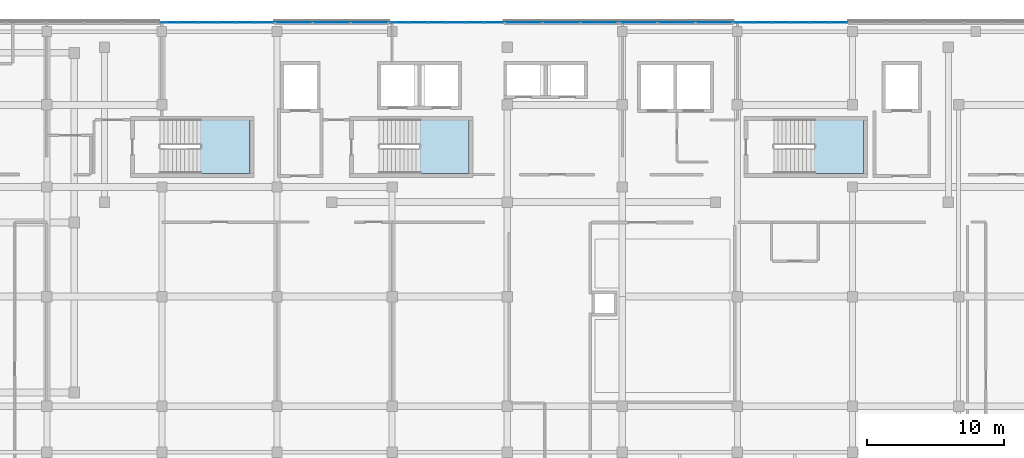
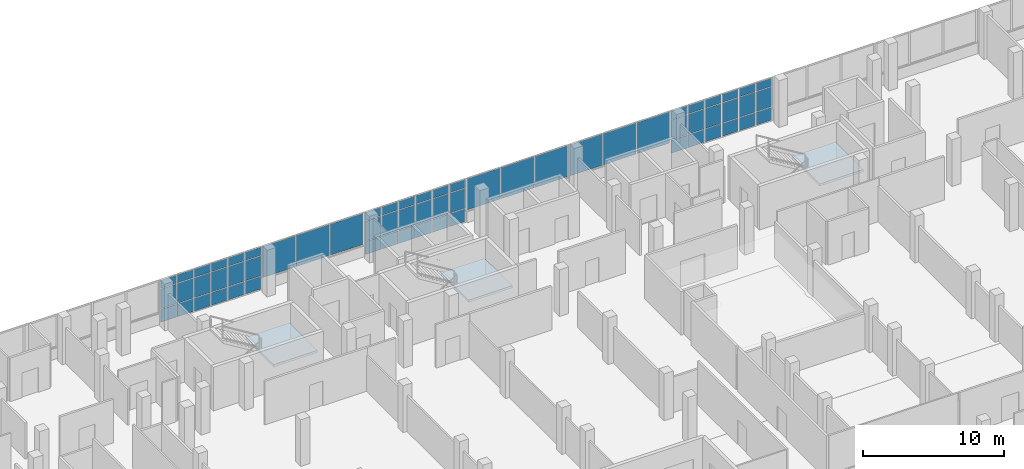
# One storey, part 79 of 101: 63 plates, 3 slabs, 9 elements without a shape of their own.
"""IFC4 building model written with IfcOpenShell, lengths in metres."""

import ifcopenshell
import ifcopenshell.guid

model = None  # the IFC model being written
_history = None  # IfcOwnerHistory: only IFC2X3 demands one
_inside = {}  # id of a spatial element -> (the spatial element, [elements in it])
_under = {}  # id of a project, library or spatial element -> (it, [spatial elements below it])
_declared = {}  # id of a project -> (the project, [libraries it declares])
_typed = {}  # id of a type object -> (the type object, [elements of that type])
_made_of = {}  # id of a material, layer set ... -> (it, [elements and type objects made of it])


def new_model(schema):
    """Start an empty IFC model of exactly this schema.

    Asked for "IFC4X3", IfcOpenShell would pick the latest addendum, in which some entities
    have other attributes; the version numbers below select the first issue.
    IFC2X3 requires an IfcOwnerHistory on every rooted entity: one is made here for all.
    """
    global model, _history
    if schema == "IFC4X3":
        model = ifcopenshell.file(schema_version=(4, 3, 0, 0))
    else:
        model = ifcopenshell.file(schema=schema)
    _inside.clear()
    _under.clear()
    _declared.clear()
    _typed.clear()
    _made_of.clear()
    _history = None
    if model.schema == "IFC2X3":
        org = make("IfcOrganization", Name="unknown")
        user = make(
            "IfcPersonAndOrganization",
            ThePerson=make("IfcPerson", FamilyName="unknown"),
            TheOrganization=org,
        )
        app = make(
            "IfcApplication",
            ApplicationDeveloper=org,
            Version="unknown",
            ApplicationFullName="unknown",
            ApplicationIdentifier="unknown",
        )
        _history = make(
            "IfcOwnerHistory",
            OwningUser=user,
            OwningApplication=app,
            ChangeAction="ADDED",
            CreationDate=0,
        )
    return model


def make(cls, **values):
    """One entity of the class cls with the attributes given. An attribute that is None is left unset."""
    return model.create_entity(
        cls, **{name: value for name, value in values.items() if value is not None}
    )


def rooted(cls, **values):
    """An entity with a GlobalId (a new one), such as an element, a storey or a relation."""
    return make(cls, GlobalId=ifcopenshell.guid.new(), OwnerHistory=_history, **values)


def si_unit(unit_type, name, prefix=None):
    """IfcSIUnit, for example si_unit("LENGTHUNIT", "METRE", prefix="MILLI")."""
    return make("IfcSIUnit", UnitType=unit_type, Prefix=prefix, Name=name)


def assignment(units):
    """IfcUnitAssignment: the units of a project."""
    return None if units is None else make("IfcUnitAssignment", Units=units)


def point(xyz):
    """IfcCartesianPoint."""
    return None if xyz is None else make("IfcCartesianPoint", Coordinates=xyz)


def direction(xyz):
    """IfcDirection."""
    return None if xyz is None else make("IfcDirection", DirectionRatios=xyz)


def frame(location, z_axis=None, x_axis=None):
    """IfcAxis2Placement3D, a coordinate frame: its origin and axes. An axis left out is left unset."""
    return make(
        "IfcAxis2Placement3D",
        Location=point(location),
        Axis=direction(z_axis),
        RefDirection=direction(x_axis),
    )


def frame_2d(location, x_axis=None):
    """IfcAxis2Placement2D, a coordinate frame in the plane: its origin and x axis."""
    return make(
        "IfcAxis2Placement2D", Location=point(location), RefDirection=direction(x_axis)
    )


def origin():
    """The frame at (0, 0, 0) with its axes left unset."""
    return frame((0.0, 0.0, 0.0))


def origin_2d():
    """The frame at (0, 0) in the plane with its x axis left unset."""
    return frame_2d((0.0, 0.0))


def place(relative_to, where):
    """IfcLocalPlacement: puts the frame where relative to a parent placement (None: the world)."""
    return make(
        "IfcLocalPlacement", PlacementRelTo=relative_to, RelativePlacement=where
    )


def context(
    kind, dimensions, precision=None, world=None, true_north=None, identifier=None
):
    """IfcGeometricRepresentationContext, for example the 3D "Model" context."""
    return make(
        "IfcGeometricRepresentationContext",
        ContextIdentifier=identifier,
        ContextType=kind,
        CoordinateSpaceDimension=dimensions,
        Precision=precision,
        WorldCoordinateSystem=world,
        TrueNorth=true_north,
    )


def subcontext(parent, identifier, kind, view, scale=None):
    """IfcGeometricRepresentationSubContext, for example "Body" below "Model"."""
    return make(
        "IfcGeometricRepresentationSubContext",
        ContextIdentifier=identifier,
        ContextType=kind,
        ParentContext=parent,
        TargetScale=scale,
        TargetView=view,
    )


def project(units=None, contexts=None):
    """IfcProject with its units and contexts."""
    return rooted(
        "IfcProject",
        Name="project",
        RepresentationContexts=contexts,
        UnitsInContext=assignment(units),
    )


def spatial(cls, under=None, at=None, **own):
    """A site, building, storey or space (cls), placed at a placement, below another one or the project."""
    s = rooted(cls, ObjectPlacement=at, **own)
    if under is not None:
        _under.setdefault(under.id(), (under, []))[1].append(s)
    return s


def polyline(points):
    """IfcPolyline through the points."""
    return make("IfcPolyline", Points=[point(p) for p in points])


def profile(cls, at=None, kind="AREA", **sizes):
    """A parametric profile (cls). Its sizes go by their IFC names, for example OverallWidth=200.0."""
    return make(cls, ProfileType=kind, Position=at, **sizes)


def rectangle(**sizes):
    """IfcRectangleProfileDef."""
    return profile("IfcRectangleProfileDef", **sizes)


def outline(outer, holes=None, kind="AREA"):
    """IfcArbitraryClosedProfileDef: a profile drawn as a closed curve; with holes, ...WithVoids."""
    if holes is None:
        return make("IfcArbitraryClosedProfileDef", ProfileType=kind, OuterCurve=outer)
    return make(
        "IfcArbitraryProfileDefWithVoids",
        ProfileType=kind,
        OuterCurve=outer,
        InnerCurves=holes,
    )


def extrude(swept, where, along, depth):
    """IfcExtrudedAreaSolid: the profile swept, set in the frame where, extruded along a direction by depth."""
    return make(
        "IfcExtrudedAreaSolid",
        SweptArea=swept,
        Position=where,
        ExtrudedDirection=direction(along),
        Depth=depth,
    )


def shape(context_of_items, identifier, shape_type, items):
    """IfcShapeRepresentation: the items that make up one representation, for example the "Body"."""
    return make(
        "IfcShapeRepresentation",
        ContextOfItems=context_of_items,
        RepresentationIdentifier=identifier,
        RepresentationType=shape_type,
        Items=items,
    )


def material(Name=None, Category=None):
    """IfcMaterial."""
    return make("IfcMaterial", Name=Name, Category=Category)


def layer(
    of_material, thickness, ventilated=None, Name=None, Category=None, Priority=None
):
    """IfcMaterialLayer: one layer of a wall or slab, of a material (None: an air gap)."""
    return make(
        "IfcMaterialLayer",
        Material=of_material,
        LayerThickness=thickness,
        IsVentilated=ventilated,
        Name=Name,
        Category=Category,
        Priority=Priority,
    )


def layer_set(layers, Name=None):
    """IfcMaterialLayerSet."""
    return make("IfcMaterialLayerSet", MaterialLayers=layers, LayerSetName=Name)


def made_of(thing, what):
    """Note that an element or type object is made of a material, layer set ...; save() writes the relation."""
    if what is not None:
        _made_of.setdefault(what.id(), (what, []))[1].append(thing)
    return thing


def type_object(cls, material=None, **own):
    """A type object (cls), such as IfcWallType, which elements share."""
    return made_of(rooted(cls, **own), material)


def element(
    cls,
    number,
    at=None,
    inside=None,
    cuts=None,
    type_object=None,
    material=None,
    context=None,
    identifier="Body",
    shape_type=None,
    held_by="IfcProductDefinitionShape",
    body=None,
    shapes=None,
    **own,
):
    """One element of the class cls, such as IfcWall. Its Tag is "e" and its number.

    at: its placement. inside: the storey or other place that contains it. cuts: it is an
    opening in that element (IfcRelVoidsElement). A single representation is given by context,
    identifier, shape_type and body (its items); several are given by shapes. held_by: the class
    of the entity that holds the representations. save() writes the other relations.
    """
    e = rooted(cls, Tag="e%d" % number, ObjectPlacement=at, **own)
    if body is not None:
        shapes = [shape(context, identifier, shape_type, body)]
    if shapes is not None:
        e.Representation = make(held_by, Representations=shapes)
    if inside is not None:
        _inside.setdefault(inside.id(), (inside, []))[1].append(e)
    if cuts is not None:
        rooted(
            "IfcRelVoidsElement", RelatingBuildingElement=cuts, RelatedOpeningElement=e
        )
    if type_object is not None:
        _typed.setdefault(type_object.id(), (type_object, []))[1].append(e)
    return made_of(e, material)


def aggregate(whole, parts):
    """IfcRelAggregates: a whole, such as a stair, and the parts it consists of."""
    return rooted("IfcRelAggregates", RelatingObject=whole, RelatedObjects=parts)


def save(model, path):
    """Write the relations noted so far, then the file.

    IfcRelAggregates (storeys below a building ...), IfcRelContainedInSpatialStructure (elements
    in a storey), IfcRelDefinesByType, IfcRelAssociatesMaterial and IfcRelDeclares: one each for
    every whole, place, type object, material and project.
    """
    for whole, parts in _under.values():
        aggregate(whole, parts)
    for where, things in _inside.values():
        rooted(
            "IfcRelContainedInSpatialStructure",
            RelatedElements=things,
            RelatingStructure=where,
        )
    for kind, things in _typed.values():
        rooted("IfcRelDefinesByType", RelatedObjects=things, RelatingType=kind)
    for what, things in _made_of.values():
        rooted("IfcRelAssociatesMaterial", RelatedObjects=things, RelatingMaterial=what)
    for by, libraries in _declared.values():
        rooted("IfcRelDeclares", RelatingContext=by, RelatedDefinitions=libraries)
    model.write(path)


model = new_model("IFC4")

# Units and contexts
model_context = context("Model", 3, precision=1e-05, world=origin(), true_north=direction((0.0, 1.0)))
body_context = subcontext(model_context, "Body", "Model", "MODEL_VIEW")
ifc_project = project(units=[si_unit("LENGTHUNIT", "METRE"), si_unit("AREAUNIT", "SQUARE_METRE"), si_unit("VOLUMEUNIT", "CUBIC_METRE"), si_unit("PLANEANGLEUNIT", "RADIAN"), si_unit("MASSUNIT", "GRAM", prefix="KILO")], contexts=[model_context])

# Site, building, storey
site_placement = place(None, origin())
site = spatial("IfcSite", under=ifc_project, at=site_placement, CompositionType="ELEMENT")
building_placement = place(site_placement, origin())
building = spatial("IfcBuilding", under=site, at=building_placement, Name="Selatvlak General Hospital", CompositionType="ELEMENT")
storey_placement = place(building_placement, frame((0.0, 0.0, 19.199951171875)))
storey = spatial("IfcBuildingStorey", under=building, at=storey_placement, Name="L04", CompositionType="ELEMENT", Elevation=19.199951171875)

# Curtain wall, plates
ifc_material_1 = material(Name="Solar-control Low-E double glazing", Category="glass")
curtain_wall_type_1 = type_object("IfcCurtainWallType", Name="CW-CW-04", PredefinedType="USERDEFINED", material=ifc_material_1)
curtain_wall_1_placement = place(storey_placement, origin())
curtain_wall_1 = element("IfcCurtainWall", 1, at=curtain_wall_1_placement, inside=storey, type_object=curtain_wall_type_1, Name="Glazed facade curtain wall CW-L04-0489", ObjectType="STICK GLAZING WALL", PredefinedType="USERDEFINED")
ifc_layer_1 = layer(ifc_material_1, 0.028076171875, Name="Solar-control Low-E double glazing", Category="glass")
ifc_layer_set_1 = layer_set([ifc_layer_1], Name="Solar-control Low-E double glazing")
plate_type = type_object("IfcPlateType", Name="CWP-01", PredefinedType="CURTAIN_PANEL", material=ifc_layer_set_1)
plate_1_placement = place(storey_placement, frame((90.547119140625, 119.9990234375, 0.06494140625), z_axis=(0.0, 0.0, 1.0), x_axis=(1.0, 0.0, 0.0)))
plate_1 = element("IfcPlate", 2, at=plate_1_placement, type_object=plate_type, Name="CW-04 panel 1.1", PredefinedType="CURTAIN_PANEL", context=body_context, shape_type="SweptSolid", body=[
    extrude(rectangle(XDim=1.294189453125, YDim=0.028076171875, at=origin_2d()), origin(), (0.0, 0.0, 1.0), 1.1025390625),
])
plate_2_placement = place(storey_placement, frame((90.547119140625, 119.9990234375, 1.232421875), z_axis=(0.0, 0.0, 1.0), x_axis=(1.0, 0.0, 0.0)))
plate_2 = element("IfcPlate", 3, at=plate_2_placement, type_object=plate_type, Name="CW-04 panel 1.2", PredefinedType="CURTAIN_PANEL", context=body_context, shape_type="SweptSolid", body=[
    extrude(rectangle(XDim=1.294189453125, YDim=0.028076171875, at=origin_2d()), origin(), (0.0, 0.0, 1.0), 1.705078125),
])
plate_3_placement = place(storey_placement, frame((90.547119140625, 119.9990234375, 3.00244140625), z_axis=(0.0, 0.0, 1.0), x_axis=(1.0, 0.0, 0.0)))
plate_3 = element("IfcPlate", 4, at=plate_3_placement, type_object=plate_type, Name="CW-04 panel 1.3", PredefinedType="CURTAIN_PANEL", context=body_context, shape_type="SweptSolid", body=[
    extrude(rectangle(XDim=1.294189453125, YDim=0.028076171875, at=origin_2d()), origin(), (0.0, 0.0, 1.0), 0.702392578125),
])
plate_4_placement = place(storey_placement, frame((91.922607421875, 119.9990234375, 0.06494140625), z_axis=(0.0, 0.0, 1.0), x_axis=(1.0, 0.0, 0.0)))
plate_4 = element("IfcPlate", 5, at=plate_4_placement, type_object=plate_type, Name="CW-04 panel 2.1", PredefinedType="CURTAIN_PANEL", context=body_context, shape_type="SweptSolid", body=[
    extrude(rectangle(XDim=1.32666015625, YDim=0.028076171875, at=origin_2d()), origin(), (0.0, 0.0, 1.0), 1.1025390625),
])
plate_5_placement = place(storey_placement, frame((91.922607421875, 119.9990234375, 1.232421875), z_axis=(0.0, 0.0, 1.0), x_axis=(1.0, 0.0, 0.0)))
plate_5 = element("IfcPlate", 6, at=plate_5_placement, type_object=plate_type, Name="CW-04 panel 2.2", PredefinedType="CURTAIN_PANEL", context=body_context, shape_type="SweptSolid", body=[
    extrude(rectangle(XDim=1.32666015625, YDim=0.028076171875, at=origin_2d()), origin(), (0.0, 0.0, 1.0), 1.705078125),
])
plate_6_placement = place(storey_placement, frame((91.922607421875, 119.9990234375, 3.00244140625), z_axis=(0.0, 0.0, 1.0), x_axis=(1.0, 0.0, 0.0)))
plate_6 = element("IfcPlate", 7, at=plate_6_placement, type_object=plate_type, Name="CW-04 panel 2.3", PredefinedType="CURTAIN_PANEL", context=body_context, shape_type="SweptSolid", body=[
    extrude(rectangle(XDim=1.32666015625, YDim=0.028076171875, at=origin_2d()), origin(), (0.0, 0.0, 1.0), 0.702392578125),
])
plate_7_placement = place(storey_placement, frame((93.314208984375, 119.9990234375, 0.06494140625), z_axis=(0.0, 0.0, 1.0), x_axis=(1.0, 0.0, 0.0)))
plate_7 = element("IfcPlate", 8, at=plate_7_placement, type_object=plate_type, Name="CW-04 panel 3.1", PredefinedType="CURTAIN_PANEL", context=body_context, shape_type="SweptSolid", body=[
    extrude(rectangle(XDim=1.32666015625, YDim=0.028076171875, at=origin_2d()), origin(), (0.0, 0.0, 1.0), 1.1025390625),
])
plate_8_placement = place(storey_placement, frame((93.314208984375, 119.9990234375, 1.232421875), z_axis=(0.0, 0.0, 1.0), x_axis=(1.0, 0.0, 0.0)))
plate_8 = element("IfcPlate", 9, at=plate_8_placement, type_object=plate_type, Name="CW-04 panel 3.2", PredefinedType="CURTAIN_PANEL", context=body_context, shape_type="SweptSolid", body=[
    extrude(rectangle(XDim=1.32666015625, YDim=0.028076171875, at=origin_2d()), origin(), (0.0, 0.0, 1.0), 1.705078125),
])
plate_9_placement = place(storey_placement, frame((93.314208984375, 119.9990234375, 3.00244140625), z_axis=(0.0, 0.0, 1.0), x_axis=(1.0, 0.0, 0.0)))
plate_9 = element("IfcPlate", 10, at=plate_9_placement, type_object=plate_type, Name="CW-04 panel 3.3", PredefinedType="CURTAIN_PANEL", context=body_context, shape_type="SweptSolid", body=[
    extrude(rectangle(XDim=1.32666015625, YDim=0.028076171875, at=origin_2d()), origin(), (0.0, 0.0, 1.0), 0.702392578125),
])
plate_10_placement = place(storey_placement, frame((94.705810546875, 119.9990234375, 0.06494140625), z_axis=(0.0, 0.0, 1.0), x_axis=(1.0, 0.0, 0.0)))
plate_10 = element("IfcPlate", 11, at=plate_10_placement, type_object=plate_type, Name="CW-04 panel 4.1", PredefinedType="CURTAIN_PANEL", context=body_context, shape_type="SweptSolid", body=[
    extrude(rectangle(XDim=1.32666015625, YDim=0.028076171875, at=origin_2d()), origin(), (0.0, 0.0, 1.0), 1.1025390625),
])
plate_11_placement = place(storey_placement, frame((94.705810546875, 119.9990234375, 1.232421875), z_axis=(0.0, 0.0, 1.0), x_axis=(1.0, 0.0, 0.0)))
plate_11 = element("IfcPlate", 12, at=plate_11_placement, type_object=plate_type, Name="CW-04 panel 4.2", PredefinedType="CURTAIN_PANEL", context=body_context, shape_type="SweptSolid", body=[
    extrude(rectangle(XDim=1.32666015625, YDim=0.028076171875, at=origin_2d()), origin(), (0.0, 0.0, 1.0), 1.705078125),
])
plate_12_placement = place(storey_placement, frame((94.705810546875, 119.9990234375, 3.00244140625), z_axis=(0.0, 0.0, 1.0), x_axis=(1.0, 0.0, 0.0)))
plate_12 = element("IfcPlate", 13, at=plate_12_placement, type_object=plate_type, Name="CW-04 panel 4.3", PredefinedType="CURTAIN_PANEL", context=body_context, shape_type="SweptSolid", body=[
    extrude(rectangle(XDim=1.32666015625, YDim=0.028076171875, at=origin_2d()), origin(), (0.0, 0.0, 1.0), 0.702392578125),
])
plate_13_placement = place(storey_placement, frame((96.097412109375, 119.9990234375, 0.06494140625), z_axis=(0.0, 0.0, 1.0), x_axis=(1.0, 0.0, 0.0)))
plate_13 = element("IfcPlate", 14, at=plate_13_placement, type_object=plate_type, Name="CW-04 panel 5.1", PredefinedType="CURTAIN_PANEL", context=body_context, shape_type="SweptSolid", body=[
    extrude(rectangle(XDim=1.32666015625, YDim=0.028076171875, at=origin_2d()), origin(), (0.0, 0.0, 1.0), 1.1025390625),
])
plate_14_placement = place(storey_placement, frame((96.097412109375, 119.9990234375, 1.232421875), z_axis=(0.0, 0.0, 1.0), x_axis=(1.0, 0.0, 0.0)))
plate_14 = element("IfcPlate", 15, at=plate_14_placement, type_object=plate_type, Name="CW-04 panel 5.2", PredefinedType="CURTAIN_PANEL", context=body_context, shape_type="SweptSolid", body=[
    extrude(rectangle(XDim=1.32666015625, YDim=0.028076171875, at=origin_2d()), origin(), (0.0, 0.0, 1.0), 1.705078125),
])
plate_15_placement = place(storey_placement, frame((96.097412109375, 119.9990234375, 3.00244140625), z_axis=(0.0, 0.0, 1.0), x_axis=(1.0, 0.0, 0.0)))
plate_15 = element("IfcPlate", 16, at=plate_15_placement, type_object=plate_type, Name="CW-04 panel 5.3", PredefinedType="CURTAIN_PANEL", context=body_context, shape_type="SweptSolid", body=[
    extrude(rectangle(XDim=1.32666015625, YDim=0.028076171875, at=origin_2d()), origin(), (0.0, 0.0, 1.0), 0.702392578125),
])
plate_16_placement = place(storey_placement, frame((97.472900390625, 119.9990234375, 0.06494140625), z_axis=(0.0, 0.0, 1.0), x_axis=(1.0, 0.0, 0.0)))
plate_16 = element("IfcPlate", 17, at=plate_16_placement, type_object=plate_type, Name="CW-04 panel 6.1", PredefinedType="CURTAIN_PANEL", context=body_context, shape_type="SweptSolid", body=[
    extrude(rectangle(XDim=1.294189453125, YDim=0.028076171875, at=origin_2d()), origin(), (0.0, 0.0, 1.0), 1.1025390625),
])
plate_17_placement = place(storey_placement, frame((97.472900390625, 119.9990234375, 1.232421875), z_axis=(0.0, 0.0, 1.0), x_axis=(1.0, 0.0, 0.0)))
plate_17 = element("IfcPlate", 18, at=plate_17_placement, type_object=plate_type, Name="CW-04 panel 6.2", PredefinedType="CURTAIN_PANEL", context=body_context, shape_type="SweptSolid", body=[
    extrude(rectangle(XDim=1.294189453125, YDim=0.028076171875, at=origin_2d()), origin(), (0.0, 0.0, 1.0), 1.705078125),
])
plate_18_placement = place(storey_placement, frame((97.472900390625, 119.9990234375, 3.00244140625), z_axis=(0.0, 0.0, 1.0), x_axis=(1.0, 0.0, 0.0)))
plate_18 = element("IfcPlate", 19, at=plate_18_placement, type_object=plate_type, Name="CW-04 panel 6.3", PredefinedType="CURTAIN_PANEL", context=body_context, shape_type="SweptSolid", body=[
    extrude(rectangle(XDim=1.294189453125, YDim=0.028076171875, at=origin_2d()), origin(), (0.0, 0.0, 1.0), 0.702392578125),
])
aggregate(curtain_wall_1, [plate_1, plate_2, plate_3, plate_4, plate_5, plate_6, plate_7, plate_8, plate_9, plate_10, plate_11, plate_12, plate_13, plate_14, plate_15, plate_16, plate_17, plate_18])

curtain_wall_type_2 = type_object("IfcCurtainWallType", Name="CW-CW-02", PredefinedType="USERDEFINED", material=ifc_material_1)
curtain_wall_2_placement = place(storey_placement, origin())
curtain_wall_2 = element("IfcCurtainWall", 20, at=curtain_wall_2_placement, inside=storey, type_object=curtain_wall_type_2, Name="Glazed facade curtain wall CW-L04-0490", ObjectType="UNITISED CURTAIN WALL", PredefinedType="USERDEFINED")
plate_19_placement = place(storey_placement, frame((99.622802734375, 119.999267578125, 1.0048828125), z_axis=(0.0, 0.0, 1.0), x_axis=(0.999999992827, 0.000119774825, 0.0)))
plate_19 = element("IfcPlate", 21, at=plate_19_placement, type_object=plate_type, Name="CW-02 panel 1.1", PredefinedType="CURTAIN_PANEL", context=body_context, shape_type="SweptSolid", body=[
    extrude(rectangle(XDim=2.685546875, YDim=0.028076171875, at=origin_2d()), origin(), (0.0, 0.0, 1.0), 2.699951171875),
])
plate_20_placement = place(storey_placement, frame((102.389404296875, 119.99951171875, 1.0048828125), z_axis=(0.0, 0.0, 1.0), x_axis=(0.999999992827, 0.000119774825, 0.0)))
plate_20 = element("IfcPlate", 22, at=plate_20_placement, type_object=plate_type, Name="CW-02 panel 2.1", PredefinedType="CURTAIN_PANEL", context=body_context, shape_type="SweptSolid", body=[
    extrude(rectangle(XDim=2.718017578125, YDim=0.028076171875, at=origin_2d()), origin(), (0.0, 0.0, 1.0), 2.699951171875),
])
plate_21_placement = place(storey_placement, frame((105.15625, 119.999755859375, 1.0048828125), z_axis=(0.0, 0.0, 1.0), x_axis=(0.999999992827, 0.000119774825, 0.0)))
plate_21 = element("IfcPlate", 23, at=plate_21_placement, type_object=plate_type, Name="CW-02 panel 3.1", PredefinedType="CURTAIN_PANEL", context=body_context, shape_type="SweptSolid", body=[
    extrude(rectangle(XDim=2.685546875, YDim=0.028076171875, at=origin_2d()), origin(), (0.0, 0.0, 1.0), 2.699951171875),
])
aggregate(curtain_wall_2, [plate_19, plate_20, plate_21])

curtain_wall_3_placement = place(storey_placement, origin())
curtain_wall_3 = element("IfcCurtainWall", 24, at=curtain_wall_3_placement, inside=storey, type_object=curtain_wall_type_1, Name="Glazed facade curtain wall CW-L04-0491", ObjectType="STICK GLAZING WALL", PredefinedType="USERDEFINED")
plate_22_placement = place(storey_placement, frame((107.30615234375, 120.0, 0.06494140625), z_axis=(0.0, 0.0, 1.0), x_axis=(1.0, 0.0, 0.0)))
plate_22 = element("IfcPlate", 25, at=plate_22_placement, type_object=plate_type, Name="CW-04 panel 1.1", PredefinedType="CURTAIN_PANEL", context=body_context, shape_type="SweptSolid", body=[
    extrude(rectangle(XDim=1.294189453125, YDim=0.028076171875, at=origin_2d()), origin(), (0.0, 0.0, 1.0), 1.1025390625),
])
plate_23_placement = place(storey_placement, frame((107.30615234375, 120.0, 1.232421875), z_axis=(0.0, 0.0, 1.0), x_axis=(1.0, 0.0, 0.0)))
plate_23 = element("IfcPlate", 26, at=plate_23_placement, type_object=plate_type, Name="CW-04 panel 1.2", PredefinedType="CURTAIN_PANEL", context=body_context, shape_type="SweptSolid", body=[
    extrude(rectangle(XDim=1.294189453125, YDim=0.028076171875, at=origin_2d()), origin(), (0.0, 0.0, 1.0), 1.705078125),
])
plate_24_placement = place(storey_placement, frame((107.30615234375, 120.0, 3.00244140625), z_axis=(0.0, 0.0, 1.0), x_axis=(1.0, 0.0, 0.0)))
plate_24 = element("IfcPlate", 27, at=plate_24_placement, type_object=plate_type, Name="CW-04 panel 1.3", PredefinedType="CURTAIN_PANEL", context=body_context, shape_type="SweptSolid", body=[
    extrude(rectangle(XDim=1.294189453125, YDim=0.028076171875, at=origin_2d()), origin(), (0.0, 0.0, 1.0), 0.702392578125),
])
plate_25_placement = place(storey_placement, frame((108.681396484375, 120.0, 0.06494140625), z_axis=(0.0, 0.0, 1.0), x_axis=(1.0, 0.0, 0.0)))
plate_25 = element("IfcPlate", 28, at=plate_25_placement, type_object=plate_type, Name="CW-04 panel 2.1", PredefinedType="CURTAIN_PANEL", context=body_context, shape_type="SweptSolid", body=[
    extrude(rectangle(XDim=1.32666015625, YDim=0.028076171875, at=origin_2d()), origin(), (0.0, 0.0, 1.0), 1.1025390625),
])
plate_26_placement = place(storey_placement, frame((108.681396484375, 120.0, 1.232421875), z_axis=(0.0, 0.0, 1.0), x_axis=(1.0, 0.0, 0.0)))
plate_26 = element("IfcPlate", 29, at=plate_26_placement, type_object=plate_type, Name="CW-04 panel 2.2", PredefinedType="CURTAIN_PANEL", context=body_context, shape_type="SweptSolid", body=[
    extrude(rectangle(XDim=1.32666015625, YDim=0.028076171875, at=origin_2d()), origin(), (0.0, 0.0, 1.0), 1.705078125),
])
plate_27_placement = place(storey_placement, frame((108.681396484375, 120.0, 3.00244140625), z_axis=(0.0, 0.0, 1.0), x_axis=(1.0, 0.0, 0.0)))
plate_27 = element("IfcPlate", 30, at=plate_27_placement, type_object=plate_type, Name="CW-04 panel 2.3", PredefinedType="CURTAIN_PANEL", context=body_context, shape_type="SweptSolid", body=[
    extrude(rectangle(XDim=1.32666015625, YDim=0.028076171875, at=origin_2d()), origin(), (0.0, 0.0, 1.0), 0.702392578125),
])
plate_28_placement = place(storey_placement, frame((110.0732421875, 120.0, 0.06494140625), z_axis=(0.0, 0.0, 1.0), x_axis=(1.0, 0.0, 0.0)))
plate_28 = element("IfcPlate", 31, at=plate_28_placement, type_object=plate_type, Name="CW-04 panel 3.1", PredefinedType="CURTAIN_PANEL", context=body_context, shape_type="SweptSolid", body=[
    extrude(rectangle(XDim=1.32666015625, YDim=0.028076171875, at=origin_2d()), origin(), (0.0, 0.0, 1.0), 1.1025390625),
])
plate_29_placement = place(storey_placement, frame((110.0732421875, 120.0, 1.232421875), z_axis=(0.0, 0.0, 1.0), x_axis=(1.0, 0.0, 0.0)))
plate_29 = element("IfcPlate", 32, at=plate_29_placement, type_object=plate_type, Name="CW-04 panel 3.2", PredefinedType="CURTAIN_PANEL", context=body_context, shape_type="SweptSolid", body=[
    extrude(rectangle(XDim=1.32666015625, YDim=0.028076171875, at=origin_2d()), origin(), (0.0, 0.0, 1.0), 1.705078125),
])
plate_30_placement = place(storey_placement, frame((110.0732421875, 120.0, 3.00244140625), z_axis=(0.0, 0.0, 1.0), x_axis=(1.0, 0.0, 0.0)))
plate_30 = element("IfcPlate", 33, at=plate_30_placement, type_object=plate_type, Name="CW-04 panel 3.3", PredefinedType="CURTAIN_PANEL", context=body_context, shape_type="SweptSolid", body=[
    extrude(rectangle(XDim=1.32666015625, YDim=0.028076171875, at=origin_2d()), origin(), (0.0, 0.0, 1.0), 0.702392578125),
])
plate_31_placement = place(storey_placement, frame((111.46484375, 120.0, 0.06494140625), z_axis=(0.0, 0.0, 1.0), x_axis=(1.0, 0.0, 0.0)))
plate_31 = element("IfcPlate", 34, at=plate_31_placement, type_object=plate_type, Name="CW-04 panel 4.1", PredefinedType="CURTAIN_PANEL", context=body_context, shape_type="SweptSolid", body=[
    extrude(rectangle(XDim=1.32666015625, YDim=0.028076171875, at=origin_2d()), origin(), (0.0, 0.0, 1.0), 1.1025390625),
])
plate_32_placement = place(storey_placement, frame((111.46484375, 120.0, 1.232421875), z_axis=(0.0, 0.0, 1.0), x_axis=(1.0, 0.0, 0.0)))
plate_32 = element("IfcPlate", 35, at=plate_32_placement, type_object=plate_type, Name="CW-04 panel 4.2", PredefinedType="CURTAIN_PANEL", context=body_context, shape_type="SweptSolid", body=[
    extrude(rectangle(XDim=1.32666015625, YDim=0.028076171875, at=origin_2d()), origin(), (0.0, 0.0, 1.0), 1.705078125),
])
plate_33_placement = place(storey_placement, frame((111.46484375, 120.0, 3.00244140625), z_axis=(0.0, 0.0, 1.0), x_axis=(1.0, 0.0, 0.0)))
plate_33 = element("IfcPlate", 36, at=plate_33_placement, type_object=plate_type, Name="CW-04 panel 4.3", PredefinedType="CURTAIN_PANEL", context=body_context, shape_type="SweptSolid", body=[
    extrude(rectangle(XDim=1.32666015625, YDim=0.028076171875, at=origin_2d()), origin(), (0.0, 0.0, 1.0), 0.702392578125),
])
plate_34_placement = place(storey_placement, frame((112.8564453125, 120.0, 0.06494140625), z_axis=(0.0, 0.0, 1.0), x_axis=(1.0, 0.0, 0.0)))
plate_34 = element("IfcPlate", 37, at=plate_34_placement, type_object=plate_type, Name="CW-04 panel 5.1", PredefinedType="CURTAIN_PANEL", context=body_context, shape_type="SweptSolid", body=[
    extrude(rectangle(XDim=1.32666015625, YDim=0.028076171875, at=origin_2d()), origin(), (0.0, 0.0, 1.0), 1.1025390625),
])
plate_35_placement = place(storey_placement, frame((112.8564453125, 120.0, 1.232421875), z_axis=(0.0, 0.0, 1.0), x_axis=(1.0, 0.0, 0.0)))
plate_35 = element("IfcPlate", 38, at=plate_35_placement, type_object=plate_type, Name="CW-04 panel 5.2", PredefinedType="CURTAIN_PANEL", context=body_context, shape_type="SweptSolid", body=[
    extrude(rectangle(XDim=1.32666015625, YDim=0.028076171875, at=origin_2d()), origin(), (0.0, 0.0, 1.0), 1.705078125),
])
plate_36_placement = place(storey_placement, frame((112.8564453125, 120.0, 3.00244140625), z_axis=(0.0, 0.0, 1.0), x_axis=(1.0, 0.0, 0.0)))
plate_36 = element("IfcPlate", 39, at=plate_36_placement, type_object=plate_type, Name="CW-04 panel 5.3", PredefinedType="CURTAIN_PANEL", context=body_context, shape_type="SweptSolid", body=[
    extrude(rectangle(XDim=1.32666015625, YDim=0.028076171875, at=origin_2d()), origin(), (0.0, 0.0, 1.0), 0.702392578125),
])
plate_37_placement = place(storey_placement, frame((114.23193359375, 120.0, 0.06494140625), z_axis=(0.0, 0.0, 1.0), x_axis=(1.0, 0.0, 0.0)))
plate_37 = element("IfcPlate", 40, at=plate_37_placement, type_object=plate_type, Name="CW-04 panel 6.1", PredefinedType="CURTAIN_PANEL", context=body_context, shape_type="SweptSolid", body=[
    extrude(rectangle(XDim=1.294189453125, YDim=0.028076171875, at=origin_2d()), origin(), (0.0, 0.0, 1.0), 1.1025390625),
])
plate_38_placement = place(storey_placement, frame((114.23193359375, 120.0, 1.232421875), z_axis=(0.0, 0.0, 1.0), x_axis=(1.0, 0.0, 0.0)))
plate_38 = element("IfcPlate", 41, at=plate_38_placement, type_object=plate_type, Name="CW-04 panel 6.2", PredefinedType="CURTAIN_PANEL", context=body_context, shape_type="SweptSolid", body=[
    extrude(rectangle(XDim=1.294189453125, YDim=0.028076171875, at=origin_2d()), origin(), (0.0, 0.0, 1.0), 1.705078125),
])
plate_39_placement = place(storey_placement, frame((114.23193359375, 120.0, 3.00244140625), z_axis=(0.0, 0.0, 1.0), x_axis=(1.0, 0.0, 0.0)))
plate_39 = element("IfcPlate", 42, at=plate_39_placement, type_object=plate_type, Name="CW-04 panel 6.3", PredefinedType="CURTAIN_PANEL", context=body_context, shape_type="SweptSolid", body=[
    extrude(rectangle(XDim=1.294189453125, YDim=0.028076171875, at=origin_2d()), origin(), (0.0, 0.0, 1.0), 0.702392578125),
])
aggregate(curtain_wall_3, [plate_22, plate_23, plate_24, plate_25, plate_26, plate_27, plate_28, plate_29, plate_30, plate_31, plate_32, plate_33, plate_34, plate_35, plate_36, plate_37, plate_38, plate_39])

curtain_wall_4_placement = place(storey_placement, origin())
curtain_wall_4 = element("IfcCurtainWall", 43, at=curtain_wall_4_placement, inside=storey, type_object=curtain_wall_type_2, Name="Glazed facade curtain wall CW-L04-0492", ObjectType="UNITISED CURTAIN WALL", PredefinedType="USERDEFINED")
plate_40_placement = place(storey_placement, frame((116.3818359375, 120.0, 1.0048828125), z_axis=(0.0, 0.0, 1.0), x_axis=(1.0, 0.0, 0.0)))
plate_40 = element("IfcPlate", 44, at=plate_40_placement, type_object=plate_type, Name="CW-02 panel 1.1", PredefinedType="CURTAIN_PANEL", context=body_context, shape_type="SweptSolid", body=[
    extrude(rectangle(XDim=2.685791015625, YDim=0.028076171875, at=origin_2d()), origin(), (0.0, 0.0, 1.0), 2.699951171875),
])
plate_41_placement = place(storey_placement, frame((119.14892578125, 120.0, 1.0048828125), z_axis=(0.0, 0.0, 1.0), x_axis=(1.0, 0.0, 0.0)))
plate_41 = element("IfcPlate", 45, at=plate_41_placement, type_object=plate_type, Name="CW-02 panel 2.1", PredefinedType="CURTAIN_PANEL", context=body_context, shape_type="SweptSolid", body=[
    extrude(rectangle(XDim=2.71826171875, YDim=0.028076171875, at=origin_2d()), origin(), (0.0, 0.0, 1.0), 2.699951171875),
])
plate_42_placement = place(storey_placement, frame((121.916015625, 120.0, 1.0048828125), z_axis=(0.0, 0.0, 1.0), x_axis=(1.0, 0.0, 0.0)))
plate_42 = element("IfcPlate", 46, at=plate_42_placement, type_object=plate_type, Name="CW-02 panel 3.1", PredefinedType="CURTAIN_PANEL", context=body_context, shape_type="SweptSolid", body=[
    extrude(rectangle(XDim=2.685791015625, YDim=0.028076171875, at=origin_2d()), origin(), (0.0, 0.0, 1.0), 2.699951171875),
])
aggregate(curtain_wall_4, [plate_40, plate_41, plate_42])

curtain_wall_type_3 = type_object("IfcCurtainWallType", Name="CW-CW-01", PredefinedType="USERDEFINED", material=ifc_material_1)
curtain_wall_5_placement = place(storey_placement, origin())
curtain_wall_5 = element("IfcCurtainWall", 47, at=curtain_wall_5_placement, inside=storey, type_object=curtain_wall_type_3, Name="Glazed facade curtain wall CW-L04-0493", ObjectType="UNITISED CURTAIN WALL", PredefinedType="USERDEFINED")
plate_43_placement = place(storey_placement, frame((124.803466796875, 120.0, 1.0048828125), z_axis=(0.0, 0.0, 1.0), x_axis=(1.0, 0.0, 0.0)))
plate_43 = element("IfcPlate", 48, at=plate_43_placement, type_object=plate_type, Name="CW-01 panel 1.1", PredefinedType="CURTAIN_PANEL", context=body_context, shape_type="SweptSolid", body=[
    extrude(rectangle(XDim=2.669189453125, YDim=0.028076171875, at=origin_2d()), origin(), (0.0, 0.0, 1.0), 2.699951171875),
])
plate_44_placement = place(storey_placement, frame((127.553955078125, 120.0, 1.0048828125), z_axis=(0.0, 0.0, 1.0), x_axis=(1.0, 0.0, 0.0)))
plate_44 = element("IfcPlate", 49, at=plate_44_placement, type_object=plate_type, Name="CW-01 panel 2.1", PredefinedType="CURTAIN_PANEL", context=body_context, shape_type="SweptSolid", body=[
    extrude(rectangle(XDim=2.70166015625, YDim=0.028076171875, at=origin_2d()), origin(), (0.0, 0.0, 1.0), 2.699951171875),
])
plate_45_placement = place(storey_placement, frame((130.304443359375, 120.0, 1.0048828125), z_axis=(0.0, 0.0, 1.0), x_axis=(1.0, 0.0, 0.0)))
plate_45 = element("IfcPlate", 50, at=plate_45_placement, type_object=plate_type, Name="CW-01 panel 3.1", PredefinedType="CURTAIN_PANEL", context=body_context, shape_type="SweptSolid", body=[
    extrude(rectangle(XDim=2.669189453125, YDim=0.028076171875, at=origin_2d()), origin(), (0.0, 0.0, 1.0), 2.699951171875),
])
aggregate(curtain_wall_5, [plate_43, plate_44, plate_45])

curtain_wall_6_placement = place(storey_placement, origin())
curtain_wall_6 = element("IfcCurtainWall", 51, at=curtain_wall_6_placement, inside=storey, type_object=curtain_wall_type_1, Name="Glazed facade curtain wall CW-L04-0494", ObjectType="STICK GLAZING WALL", PredefinedType="USERDEFINED")
plate_46_placement = place(storey_placement, frame((132.446044921875, 120.0, 0.06494140625), z_axis=(0.0, 0.0, 1.0), x_axis=(1.0, 0.0, 0.0)))
plate_46 = element("IfcPlate", 52, at=plate_46_placement, type_object=plate_type, Name="CW-04 panel 1.1", PredefinedType="CURTAIN_PANEL", context=body_context, shape_type="SweptSolid", body=[
    extrude(rectangle(XDim=1.294189453125, YDim=0.028076171875, at=origin_2d()), origin(), (0.0, 0.0, 1.0), 1.1025390625),
])
plate_47_placement = place(storey_placement, frame((132.446044921875, 120.0, 1.232421875), z_axis=(0.0, 0.0, 1.0), x_axis=(1.0, 0.0, 0.0)))
plate_47 = element("IfcPlate", 53, at=plate_47_placement, type_object=plate_type, Name="CW-04 panel 1.2", PredefinedType="CURTAIN_PANEL", context=body_context, shape_type="SweptSolid", body=[
    extrude(rectangle(XDim=1.294189453125, YDim=0.028076171875, at=origin_2d()), origin(), (0.0, 0.0, 1.0), 1.705078125),
])
plate_48_placement = place(storey_placement, frame((132.446044921875, 120.0, 3.00244140625), z_axis=(0.0, 0.0, 1.0), x_axis=(1.0, 0.0, 0.0)))
plate_48 = element("IfcPlate", 54, at=plate_48_placement, type_object=plate_type, Name="CW-04 panel 1.3", PredefinedType="CURTAIN_PANEL", context=body_context, shape_type="SweptSolid", body=[
    extrude(rectangle(XDim=1.294189453125, YDim=0.028076171875, at=origin_2d()), origin(), (0.0, 0.0, 1.0), 0.702392578125),
])
plate_49_placement = place(storey_placement, frame((133.821533203125, 120.0, 0.06494140625), z_axis=(0.0, 0.0, 1.0), x_axis=(1.0, 0.0, 0.0)))
plate_49 = element("IfcPlate", 55, at=plate_49_placement, type_object=plate_type, Name="CW-04 panel 2.1", PredefinedType="CURTAIN_PANEL", context=body_context, shape_type="SweptSolid", body=[
    extrude(rectangle(XDim=1.32666015625, YDim=0.028076171875, at=origin_2d()), origin(), (0.0, 0.0, 1.0), 1.1025390625),
])
plate_50_placement = place(storey_placement, frame((133.821533203125, 120.0, 1.232421875), z_axis=(0.0, 0.0, 1.0), x_axis=(1.0, 0.0, 0.0)))
plate_50 = element("IfcPlate", 56, at=plate_50_placement, type_object=plate_type, Name="CW-04 panel 2.2", PredefinedType="CURTAIN_PANEL", context=body_context, shape_type="SweptSolid", body=[
    extrude(rectangle(XDim=1.32666015625, YDim=0.028076171875, at=origin_2d()), origin(), (0.0, 0.0, 1.0), 1.705078125),
])
plate_51_placement = place(storey_placement, frame((133.821533203125, 120.0, 3.00244140625), z_axis=(0.0, 0.0, 1.0), x_axis=(1.0, 0.0, 0.0)))
plate_51 = element("IfcPlate", 57, at=plate_51_placement, type_object=plate_type, Name="CW-04 panel 2.3", PredefinedType="CURTAIN_PANEL", context=body_context, shape_type="SweptSolid", body=[
    extrude(rectangle(XDim=1.32666015625, YDim=0.028076171875, at=origin_2d()), origin(), (0.0, 0.0, 1.0), 0.702392578125),
])
plate_52_placement = place(storey_placement, frame((135.213134765625, 120.0, 0.06494140625), z_axis=(0.0, 0.0, 1.0), x_axis=(1.0, 0.0, 0.0)))
plate_52 = element("IfcPlate", 58, at=plate_52_placement, type_object=plate_type, Name="CW-04 panel 3.1", PredefinedType="CURTAIN_PANEL", context=body_context, shape_type="SweptSolid", body=[
    extrude(rectangle(XDim=1.32666015625, YDim=0.028076171875, at=origin_2d()), origin(), (0.0, 0.0, 1.0), 1.1025390625),
])
plate_53_placement = place(storey_placement, frame((135.213134765625, 120.0, 1.232421875), z_axis=(0.0, 0.0, 1.0), x_axis=(1.0, 0.0, 0.0)))
plate_53 = element("IfcPlate", 59, at=plate_53_placement, type_object=plate_type, Name="CW-04 panel 3.2", PredefinedType="CURTAIN_PANEL", context=body_context, shape_type="SweptSolid", body=[
    extrude(rectangle(XDim=1.32666015625, YDim=0.028076171875, at=origin_2d()), origin(), (0.0, 0.0, 1.0), 1.705078125),
])
plate_54_placement = place(storey_placement, frame((135.213134765625, 120.0, 3.00244140625), z_axis=(0.0, 0.0, 1.0), x_axis=(1.0, 0.0, 0.0)))
plate_54 = element("IfcPlate", 60, at=plate_54_placement, type_object=plate_type, Name="CW-04 panel 3.3", PredefinedType="CURTAIN_PANEL", context=body_context, shape_type="SweptSolid", body=[
    extrude(rectangle(XDim=1.32666015625, YDim=0.028076171875, at=origin_2d()), origin(), (0.0, 0.0, 1.0), 0.702392578125),
])
plate_55_placement = place(storey_placement, frame((136.604736328125, 120.0, 0.06494140625), z_axis=(0.0, 0.0, 1.0), x_axis=(1.0, 0.0, 0.0)))
plate_55 = element("IfcPlate", 61, at=plate_55_placement, type_object=plate_type, Name="CW-04 panel 4.1", PredefinedType="CURTAIN_PANEL", context=body_context, shape_type="SweptSolid", body=[
    extrude(rectangle(XDim=1.32666015625, YDim=0.028076171875, at=origin_2d()), origin(), (0.0, 0.0, 1.0), 1.1025390625),
])
plate_56_placement = place(storey_placement, frame((136.604736328125, 120.0, 1.232421875), z_axis=(0.0, 0.0, 1.0), x_axis=(1.0, 0.0, 0.0)))
plate_56 = element("IfcPlate", 62, at=plate_56_placement, type_object=plate_type, Name="CW-04 panel 4.2", PredefinedType="CURTAIN_PANEL", context=body_context, shape_type="SweptSolid", body=[
    extrude(rectangle(XDim=1.32666015625, YDim=0.028076171875, at=origin_2d()), origin(), (0.0, 0.0, 1.0), 1.705078125),
])
plate_57_placement = place(storey_placement, frame((136.604736328125, 120.0, 3.00244140625), z_axis=(0.0, 0.0, 1.0), x_axis=(1.0, 0.0, 0.0)))
plate_57 = element("IfcPlate", 63, at=plate_57_placement, type_object=plate_type, Name="CW-04 panel 4.3", PredefinedType="CURTAIN_PANEL", context=body_context, shape_type="SweptSolid", body=[
    extrude(rectangle(XDim=1.32666015625, YDim=0.028076171875, at=origin_2d()), origin(), (0.0, 0.0, 1.0), 0.702392578125),
])
plate_58_placement = place(storey_placement, frame((137.99658203125, 120.0, 0.06494140625), z_axis=(0.0, 0.0, 1.0), x_axis=(1.0, 0.0, 0.0)))
plate_58 = element("IfcPlate", 64, at=plate_58_placement, type_object=plate_type, Name="CW-04 panel 5.1", PredefinedType="CURTAIN_PANEL", context=body_context, shape_type="SweptSolid", body=[
    extrude(rectangle(XDim=1.32666015625, YDim=0.028076171875, at=origin_2d()), origin(), (0.0, 0.0, 1.0), 1.1025390625),
])
plate_59_placement = place(storey_placement, frame((137.99658203125, 120.0, 1.232421875), z_axis=(0.0, 0.0, 1.0), x_axis=(1.0, 0.0, 0.0)))
plate_59 = element("IfcPlate", 65, at=plate_59_placement, type_object=plate_type, Name="CW-04 panel 5.2", PredefinedType="CURTAIN_PANEL", context=body_context, shape_type="SweptSolid", body=[
    extrude(rectangle(XDim=1.32666015625, YDim=0.028076171875, at=origin_2d()), origin(), (0.0, 0.0, 1.0), 1.705078125),
])
plate_60_placement = place(storey_placement, frame((137.99658203125, 120.0, 3.00244140625), z_axis=(0.0, 0.0, 1.0), x_axis=(1.0, 0.0, 0.0)))
plate_60 = element("IfcPlate", 66, at=plate_60_placement, type_object=plate_type, Name="CW-04 panel 5.3", PredefinedType="CURTAIN_PANEL", context=body_context, shape_type="SweptSolid", body=[
    extrude(rectangle(XDim=1.32666015625, YDim=0.028076171875, at=origin_2d()), origin(), (0.0, 0.0, 1.0), 0.702392578125),
])
plate_61_placement = place(storey_placement, frame((139.371826171875, 120.0, 0.06494140625), z_axis=(0.0, 0.0, 1.0), x_axis=(1.0, 0.0, 0.0)))
plate_61 = element("IfcPlate", 67, at=plate_61_placement, type_object=plate_type, Name="CW-04 panel 6.1", PredefinedType="CURTAIN_PANEL", context=body_context, shape_type="SweptSolid", body=[
    extrude(rectangle(XDim=1.294189453125, YDim=0.028076171875, at=origin_2d()), origin(), (0.0, 0.0, 1.0), 1.1025390625),
])
plate_62_placement = place(storey_placement, frame((139.371826171875, 120.0, 1.232421875), z_axis=(0.0, 0.0, 1.0), x_axis=(1.0, 0.0, 0.0)))
plate_62 = element("IfcPlate", 68, at=plate_62_placement, type_object=plate_type, Name="CW-04 panel 6.2", PredefinedType="CURTAIN_PANEL", context=body_context, shape_type="SweptSolid", body=[
    extrude(rectangle(XDim=1.294189453125, YDim=0.028076171875, at=origin_2d()), origin(), (0.0, 0.0, 1.0), 1.705078125),
])
plate_63_placement = place(storey_placement, frame((139.371826171875, 120.0, 3.00244140625), z_axis=(0.0, 0.0, 1.0), x_axis=(1.0, 0.0, 0.0)))
plate_63 = element("IfcPlate", 69, at=plate_63_placement, type_object=plate_type, Name="CW-04 panel 6.3", PredefinedType="CURTAIN_PANEL", context=body_context, shape_type="SweptSolid", body=[
    extrude(rectangle(XDim=1.294189453125, YDim=0.028076171875, at=origin_2d()), origin(), (0.0, 0.0, 1.0), 0.702392578125),
])
aggregate(curtain_wall_6, [plate_46, plate_47, plate_48, plate_49, plate_50, plate_51, plate_52, plate_53, plate_54, plate_55, plate_56, plate_57, plate_58, plate_59, plate_60, plate_61, plate_62, plate_63])

# Stair, slab
ifc_material_2 = material(Name="Precast concrete C40/50", Category="concrete")
stair_type_1 = type_object("IfcStairType", Name="STAIR-ST-02", PredefinedType="HALF_TURN_STAIR", material=ifc_material_2)
stair_1_placement = place(storey_placement, origin())
stair_1 = element("IfcStair", 70, at=stair_1_placement, inside=storey, type_object=stair_type_1, Name="L04 Protected exit stair ST-02", PredefinedType="HALF_TURN_STAIR")
ifc_material_3 = material(Name="Concrete C40/50", Category="concrete")
ifc_layer_2 = layer(ifc_material_3, 0.199951171875, Name="Concrete C40/50", Category="concrete")
ifc_layer_set_2 = layer_set([ifc_layer_2], Name="Concrete C40/50")
slab_type = type_object("IfcSlabType", Name="SLAB-LND1", PredefinedType="LANDING", material=ifc_layer_set_2)
slab_1_placement = place(storey_placement, frame((0.0, 0.0, 1.824951171875)))
slab_1 = element("IfcSlab", 71, at=slab_1_placement, type_object=slab_type, Name="ST-02 landing 1", PredefinedType="LANDING", context=body_context, shape_type="SweptSolid", body=[
    extrude(outline(polyline([(92.81494140625, 109.0), (96.39990234375, 109.0), (96.39990234375, 112.93994140625), (92.81494140625, 112.93994140625), (92.81494140625, 109.0)])), origin(), (0.0, 0.0, 1.0), 0.2001953125),
])
aggregate(stair_1, [slab_1])

stair_type_2 = type_object("IfcStairType", Name="STAIR-ST-03", PredefinedType="HALF_TURN_STAIR", material=ifc_material_2)
stair_2_placement = place(storey_placement, origin())
stair_2 = element("IfcStair", 72, at=stair_2_placement, inside=storey, type_object=stair_type_2, Name="L04 Protected exit stair ST-03", PredefinedType="HALF_TURN_STAIR")
slab_2_placement = place(storey_placement, frame((0.0, 0.0, 1.824951171875)))
slab_2 = element("IfcSlab", 73, at=slab_2_placement, type_object=slab_type, Name="ST-03 landing 1", PredefinedType="LANDING", context=body_context, shape_type="SweptSolid", body=[
    extrude(outline(polyline([(108.81494140625, 109.0), (112.39990234375, 109.0), (112.39990234375, 112.93994140625), (108.81494140625, 112.93994140625), (108.81494140625, 109.0)])), origin(), (0.0, 0.0, 1.0), 0.2001953125),
])
aggregate(stair_2, [slab_2])

stair_type_3 = type_object("IfcStairType", Name="STAIR-ST-04", PredefinedType="HALF_TURN_STAIR", material=ifc_material_2)
stair_3_placement = place(storey_placement, origin())
stair_3 = element("IfcStair", 74, at=stair_3_placement, inside=storey, type_object=stair_type_3, Name="L04 Protected exit stair ST-04", PredefinedType="HALF_TURN_STAIR")
slab_3_placement = place(storey_placement, frame((0.0, 0.0, 1.824951171875)))
slab_3 = element("IfcSlab", 75, at=slab_3_placement, type_object=slab_type, Name="ST-04 landing 1", PredefinedType="LANDING", context=body_context, shape_type="SweptSolid", body=[
    extrude(outline(polyline([(137.614990234375, 109.0), (141.199951171875, 109.0), (141.199951171875, 112.93994140625), (137.614990234375, 112.93994140625), (137.614990234375, 109.0)])), origin(), (0.0, 0.0, 1.0), 0.2001953125),
])
aggregate(stair_3, [slab_3])

save(model, "model.ifc")
